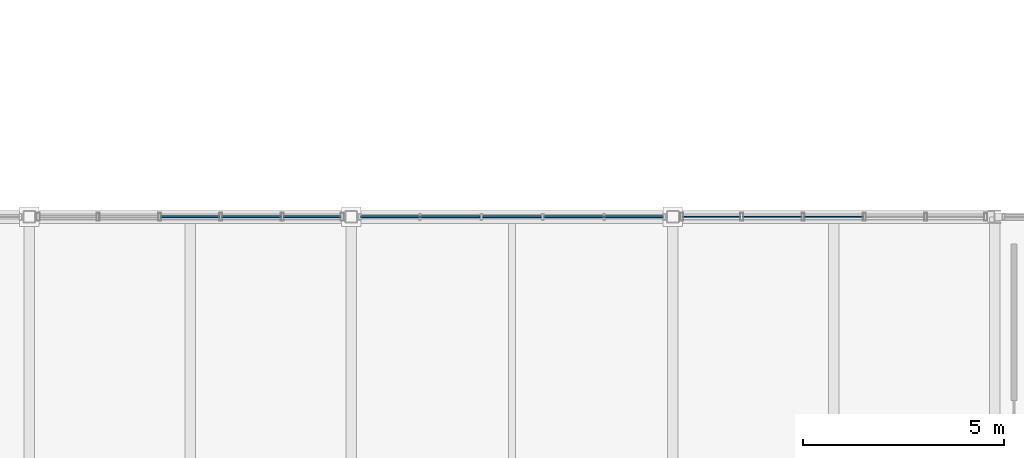
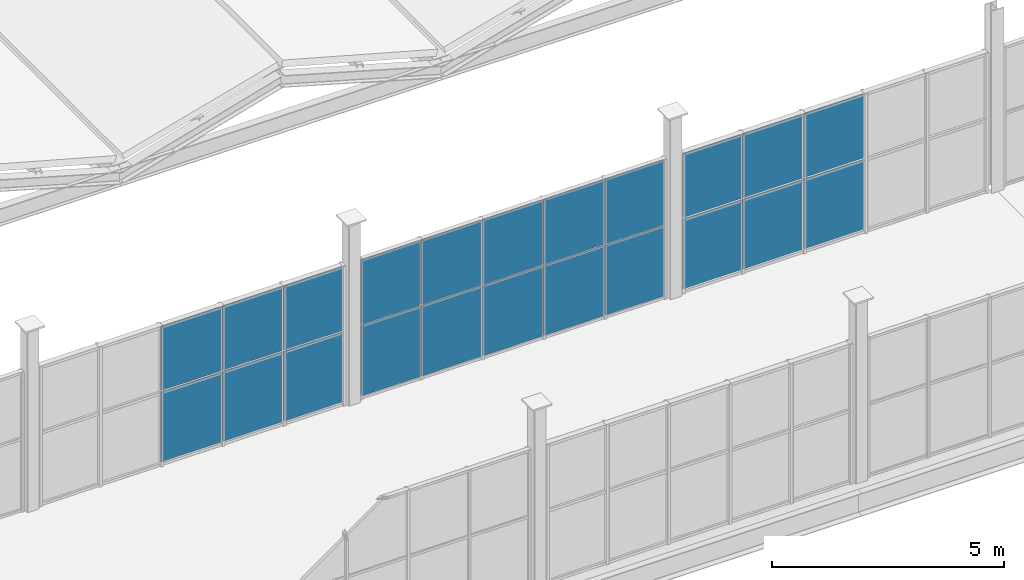
# One storey, part 86 of 114: 22 plates, 3 elements without a shape of their own.
"""IFC4 building model written with IfcOpenShell, lengths in metres."""

from ifc_helpers import new_model, si_unit, direction, frame, origin, origin_2d, place, context, subcontext, project, spatial, rectangle, extrude, material, layer, layer_set, type_object, element, aggregate, save


model = new_model("IFC4")

# Units and contexts
model_context = context("Model", 3, precision=1e-05, world=origin(), true_north=direction((0.0, 1.0)))
body_context = subcontext(model_context, "Body", "Model", "MODEL_VIEW")
ifc_project = project(units=[si_unit("LENGTHUNIT", "METRE"), si_unit("AREAUNIT", "SQUARE_METRE"), si_unit("VOLUMEUNIT", "CUBIC_METRE"), si_unit("PLANEANGLEUNIT", "RADIAN"), si_unit("MASSUNIT", "GRAM", prefix="KILO")], contexts=[model_context])

# Site, building, storey
site_placement = place(None, origin())
site = spatial("IfcSite", under=ifc_project, at=site_placement, CompositionType="ELEMENT")
building_placement = place(site_placement, origin())
building = spatial("IfcBuilding", under=site, at=building_placement, Name="Verrall Gate Interchange", CompositionType="ELEMENT")
storey_placement = place(building_placement, frame((0.0, 0.0, 6.60009765625)))
storey = spatial("IfcBuildingStorey", under=building, at=storey_placement, Name="L02", CompositionType="ELEMENT", Elevation=6.60009765625)

# Curtain wall, plates
ifc_material_1 = material(Name="Thermally Broken Anodized Aluminium Curtain Wall Framing", Category="aluminium")
curtain_wall_type = type_object("IfcCurtainWallType", Name="CW-21 Unitized Curtain Wall 7631x3680", PredefinedType="NOTDEFINED", material=ifc_material_1)
curtain_wall_1_placement = place(storey_placement, origin())
curtain_wall_1 = element("IfcCurtainWall", 1, at=curtain_wall_1_placement, inside=storey, type_object=curtain_wall_type, Name="L02 Unitized Curtain Wall CW-L02-073", PredefinedType="NOTDEFINED")
ifc_material_2 = material(Name="Triple-Glazed Low-E Argon Insulated Curtain Panel (U=1.45)", Category="glass")
ifc_layer_1 = layer(ifc_material_2, 0.030029296875)
ifc_layer_set_1 = layer_set([ifc_layer_1], Name="Triple-Glazed Low-E Argon Insulated Curtain Panel (U=1.45)")
plate_type_1 = type_object("IfcPlateType", Name="CP-01 Curtain Glazing Panel 30", PredefinedType="CURTAIN_PANEL", material=ifc_layer_set_1)
plate_1_placement = place(storey_placement, frame((127.99951171875, 56.0, 0.062744140625), z_axis=(0.0, 0.0, 1.0), x_axis=(-1.0, 0.0, 0.0)))
plate_1 = element("IfcPlate", 2, at=plate_1_placement, type_object=plate_type_1, Name="CW-L02-073 Glazing Panel 3.1", PredefinedType="CURTAIN_PANEL", context=body_context, shape_type="SweptSolid", body=[
    extrude(rectangle(XDim=1.47509765625, YDim=0.030029296875, at=origin_2d()), origin(), (0.0, 0.0, 1.0), 1.8251953125),
])
plate_2_placement = place(storey_placement, frame((127.99951171875, 56.0, 1.93896484375), z_axis=(0.0, 0.0, 1.0), x_axis=(-1.0, 0.0, 0.0)))
plate_2 = element("IfcPlate", 3, at=plate_2_placement, type_object=plate_type_1, Name="CW-L02-073 Glazing Panel 3.2", PredefinedType="CURTAIN_PANEL", context=body_context, shape_type="SweptSolid", body=[
    extrude(rectangle(XDim=1.47509765625, YDim=0.030029296875, at=origin_2d()), origin(), (0.0, 0.0, 1.0), 1.677978515625),
])
plate_3_placement = place(storey_placement, frame((126.473388671875, 56.0, 0.062744140625), z_axis=(0.0, 0.0, 1.0), x_axis=(-1.0, 0.0, 0.0)))
plate_3 = element("IfcPlate", 4, at=plate_3_placement, type_object=plate_type_1, Name="CW-L02-073 Glazing Panel 4.1", PredefinedType="CURTAIN_PANEL", context=body_context, shape_type="SweptSolid", body=[
    extrude(rectangle(XDim=1.47509765625, YDim=0.030029296875, at=origin_2d()), origin(), (0.0, 0.0, 1.0), 1.8251953125),
])
plate_4_placement = place(storey_placement, frame((126.473388671875, 56.0, 1.93896484375), z_axis=(0.0, 0.0, 1.0), x_axis=(-1.0, 0.0, 0.0)))
plate_4 = element("IfcPlate", 5, at=plate_4_placement, type_object=plate_type_1, Name="CW-L02-073 Glazing Panel 4.2", PredefinedType="CURTAIN_PANEL", context=body_context, shape_type="SweptSolid", body=[
    extrude(rectangle(XDim=1.47509765625, YDim=0.030029296875, at=origin_2d()), origin(), (0.0, 0.0, 1.0), 1.677978515625),
])
plate_5_placement = place(storey_placement, frame((124.96630859375, 56.0, 0.062744140625), z_axis=(0.0, 0.0, 1.0), x_axis=(-1.0, 0.0, 0.0)))
plate_5 = element("IfcPlate", 6, at=plate_5_placement, type_object=plate_type_1, Name="CW-L02-073 Glazing Panel 5.1", PredefinedType="CURTAIN_PANEL", context=body_context, shape_type="SweptSolid", body=[
    extrude(rectangle(XDim=1.4375, YDim=0.030029296875, at=origin_2d()), origin(), (0.0, 0.0, 1.0), 1.8251953125),
])
plate_6_placement = place(storey_placement, frame((124.96630859375, 56.0, 1.93896484375), z_axis=(0.0, 0.0, 1.0), x_axis=(-1.0, 0.0, 0.0)))
plate_6 = element("IfcPlate", 7, at=plate_6_placement, type_object=plate_type_1, Name="CW-L02-073 Glazing Panel 5.2", PredefinedType="CURTAIN_PANEL", context=body_context, shape_type="SweptSolid", body=[
    extrude(rectangle(XDim=1.4375, YDim=0.030029296875, at=origin_2d()), origin(), (0.0, 0.0, 1.0), 1.677978515625),
])
aggregate(curtain_wall_1, [plate_1, plate_2, plate_3, plate_4, plate_5, plate_6])

curtain_wall_2_placement = place(storey_placement, origin())
curtain_wall_2 = element("IfcCurtainWall", 8, at=curtain_wall_2_placement, inside=storey, type_object=curtain_wall_type, Name="L02 Unitized Curtain Wall CW-L02-074", PredefinedType="NOTDEFINED")
ifc_material_3 = material(Name="Triple-Glazed Low-E Argon Insulated Curtain Panel (U=1.45)", Category="glass")
ifc_layer_2 = layer(ifc_material_3, 0.0400390625)
ifc_layer_set_2 = layer_set([ifc_layer_2], Name="Triple-Glazed Low-E Argon Insulated Curtain Panel (U=1.45)")
plate_type_2 = type_object("IfcPlateType", Name="CP-02 Curtain Glazing Panel 40", PredefinedType="CURTAIN_PANEL", material=ifc_layer_set_2)
plate_7_placement = place(storey_placement, frame((123.0361328125, 56.0, 0.054443359375), z_axis=(0.0, 0.0, 1.0), x_axis=(-1.0, 0.0, 0.0)))
plate_7 = element("IfcPlate", 9, at=plate_7_placement, type_object=plate_type_2, Name="CW-L02-074 Glazing Panel 1.1", PredefinedType="CURTAIN_PANEL", context=body_context, shape_type="SweptSolid", body=[
    extrude(rectangle(XDim=1.449462890625, YDim=0.0400390625, at=origin_2d()), origin(), (0.0, 0.0, 1.0), 1.8369140625),
])
plate_8_placement = place(storey_placement, frame((123.0361328125, 56.0, 1.935546875), z_axis=(0.0, 0.0, 1.0), x_axis=(-1.0, 0.0, 0.0)))
plate_8 = element("IfcPlate", 10, at=plate_8_placement, type_object=plate_type_2, Name="CW-L02-074 Glazing Panel 1.2", PredefinedType="CURTAIN_PANEL", context=body_context, shape_type="SweptSolid", body=[
    extrude(rectangle(XDim=1.449462890625, YDim=0.0400390625, at=origin_2d()), origin(), (0.0, 0.0, 1.0), 1.689697265625),
])
plate_9_placement = place(storey_placement, frame((121.526123046875, 56.0, 0.054443359375), z_axis=(0.0, 0.0, 1.0), x_axis=(-1.0, 0.0, 0.0)))
plate_9 = element("IfcPlate", 11, at=plate_9_placement, type_object=plate_type_2, Name="CW-L02-074 Glazing Panel 2.1", PredefinedType="CURTAIN_PANEL", context=body_context, shape_type="SweptSolid", body=[
    extrude(rectangle(XDim=1.48193359375, YDim=0.0400390625, at=origin_2d()), origin(), (0.0, 0.0, 1.0), 1.8369140625),
])
plate_10_placement = place(storey_placement, frame((121.526123046875, 56.0, 1.935546875), z_axis=(0.0, 0.0, 1.0), x_axis=(-1.0, 0.0, 0.0)))
plate_10 = element("IfcPlate", 12, at=plate_10_placement, type_object=plate_type_2, Name="CW-L02-074 Glazing Panel 2.2", PredefinedType="CURTAIN_PANEL", context=body_context, shape_type="SweptSolid", body=[
    extrude(rectangle(XDim=1.48193359375, YDim=0.0400390625, at=origin_2d()), origin(), (0.0, 0.0, 1.0), 1.689697265625),
])
plate_11_placement = place(storey_placement, frame((120.0, 56.0, 0.054443359375), z_axis=(0.0, 0.0, 1.0), x_axis=(-1.0, 0.0, 0.0)))
plate_11 = element("IfcPlate", 13, at=plate_11_placement, type_object=plate_type_2, Name="CW-L02-074 Glazing Panel 3.1", PredefinedType="CURTAIN_PANEL", context=body_context, shape_type="SweptSolid", body=[
    extrude(rectangle(XDim=1.48193359375, YDim=0.0400390625, at=origin_2d()), origin(), (0.0, 0.0, 1.0), 1.8369140625),
])
plate_12_placement = place(storey_placement, frame((120.0, 56.0, 1.935546875), z_axis=(0.0, 0.0, 1.0), x_axis=(-1.0, 0.0, 0.0)))
plate_12 = element("IfcPlate", 14, at=plate_12_placement, type_object=plate_type_2, Name="CW-L02-074 Glazing Panel 3.2", PredefinedType="CURTAIN_PANEL", context=body_context, shape_type="SweptSolid", body=[
    extrude(rectangle(XDim=1.48193359375, YDim=0.0400390625, at=origin_2d()), origin(), (0.0, 0.0, 1.0), 1.689697265625),
])
plate_13_placement = place(storey_placement, frame((118.473876953125, 56.0, 0.054443359375), z_axis=(0.0, 0.0, 1.0), x_axis=(-1.0, 0.0, 0.0)))
plate_13 = element("IfcPlate", 15, at=plate_13_placement, type_object=plate_type_2, Name="CW-L02-074 Glazing Panel 4.1", PredefinedType="CURTAIN_PANEL", context=body_context, shape_type="SweptSolid", body=[
    extrude(rectangle(XDim=1.48193359375, YDim=0.0400390625, at=origin_2d()), origin(), (0.0, 0.0, 1.0), 1.8369140625),
])
plate_14_placement = place(storey_placement, frame((118.473876953125, 56.0, 1.935546875), z_axis=(0.0, 0.0, 1.0), x_axis=(-1.0, 0.0, 0.0)))
plate_14 = element("IfcPlate", 16, at=plate_14_placement, type_object=plate_type_2, Name="CW-L02-074 Glazing Panel 4.2", PredefinedType="CURTAIN_PANEL", context=body_context, shape_type="SweptSolid", body=[
    extrude(rectangle(XDim=1.48193359375, YDim=0.0400390625, at=origin_2d()), origin(), (0.0, 0.0, 1.0), 1.689697265625),
])
plate_15_placement = place(storey_placement, frame((116.9638671875, 56.0, 0.054443359375), z_axis=(0.0, 0.0, 1.0), x_axis=(-1.0, 0.0, 0.0)))
plate_15 = element("IfcPlate", 17, at=plate_15_placement, type_object=plate_type_2, Name="CW-L02-074 Glazing Panel 5.1", PredefinedType="CURTAIN_PANEL", context=body_context, shape_type="SweptSolid", body=[
    extrude(rectangle(XDim=1.449462890625, YDim=0.0400390625, at=origin_2d()), origin(), (0.0, 0.0, 1.0), 1.8369140625),
])
plate_16_placement = place(storey_placement, frame((116.9638671875, 56.0, 1.935546875), z_axis=(0.0, 0.0, 1.0), x_axis=(-1.0, 0.0, 0.0)))
plate_16 = element("IfcPlate", 18, at=plate_16_placement, type_object=plate_type_2, Name="CW-L02-074 Glazing Panel 5.2", PredefinedType="CURTAIN_PANEL", context=body_context, shape_type="SweptSolid", body=[
    extrude(rectangle(XDim=1.449462890625, YDim=0.0400390625, at=origin_2d()), origin(), (0.0, 0.0, 1.0), 1.689697265625),
])
aggregate(curtain_wall_2, [plate_7, plate_8, plate_9, plate_10, plate_11, plate_12, plate_13, plate_14, plate_15, plate_16])

curtain_wall_3_placement = place(storey_placement, origin())
curtain_wall_3 = element("IfcCurtainWall", 19, at=curtain_wall_3_placement, inside=storey, type_object=curtain_wall_type, Name="L02 Unitized Curtain Wall CW-L02-075", PredefinedType="NOTDEFINED")
plate_17_placement = place(storey_placement, frame((115.03369140625, 56.0, 0.062744140625), z_axis=(0.0, 0.0, 1.0), x_axis=(-1.0, 0.0, 0.0)))
plate_17 = element("IfcPlate", 20, at=plate_17_placement, type_object=plate_type_2, Name="CW-L02-075 Glazing Panel 1.1", PredefinedType="CURTAIN_PANEL", context=body_context, shape_type="SweptSolid", body=[
    extrude(rectangle(XDim=1.437744140625, YDim=0.0400390625, at=origin_2d()), origin(), (0.0, 0.0, 1.0), 1.8251953125),
])
plate_18_placement = place(storey_placement, frame((115.03369140625, 56.0, 1.93896484375), z_axis=(0.0, 0.0, 1.0), x_axis=(-1.0, 0.0, 0.0)))
plate_18 = element("IfcPlate", 21, at=plate_18_placement, type_object=plate_type_2, Name="CW-L02-075 Glazing Panel 1.2", PredefinedType="CURTAIN_PANEL", context=body_context, shape_type="SweptSolid", body=[
    extrude(rectangle(XDim=1.437744140625, YDim=0.0400390625, at=origin_2d()), origin(), (0.0, 0.0, 1.0), 1.677978515625),
])
plate_19_placement = place(storey_placement, frame((113.526123046875, 56.0, 0.062744140625), z_axis=(0.0, 0.0, 1.0), x_axis=(-1.0, 0.0, 0.0)))
plate_19 = element("IfcPlate", 22, at=plate_19_placement, type_object=plate_type_2, Name="CW-L02-075 Glazing Panel 2.1", PredefinedType="CURTAIN_PANEL", context=body_context, shape_type="SweptSolid", body=[
    extrude(rectangle(XDim=1.47509765625, YDim=0.0400390625, at=origin_2d()), origin(), (0.0, 0.0, 1.0), 1.8251953125),
])
plate_20_placement = place(storey_placement, frame((113.526123046875, 56.0, 1.93896484375), z_axis=(0.0, 0.0, 1.0), x_axis=(-1.0, 0.0, 0.0)))
plate_20 = element("IfcPlate", 23, at=plate_20_placement, type_object=plate_type_2, Name="CW-L02-075 Glazing Panel 2.2", PredefinedType="CURTAIN_PANEL", context=body_context, shape_type="SweptSolid", body=[
    extrude(rectangle(XDim=1.47509765625, YDim=0.0400390625, at=origin_2d()), origin(), (0.0, 0.0, 1.0), 1.677978515625),
])
plate_21_placement = place(storey_placement, frame((112.0, 56.0, 0.062744140625), z_axis=(0.0, 0.0, 1.0), x_axis=(-1.0, 0.0, 0.0)))
plate_21 = element("IfcPlate", 24, at=plate_21_placement, type_object=plate_type_2, Name="CW-L02-075 Glazing Panel 3.1", PredefinedType="CURTAIN_PANEL", context=body_context, shape_type="SweptSolid", body=[
    extrude(rectangle(XDim=1.47509765625, YDim=0.0400390625, at=origin_2d()), origin(), (0.0, 0.0, 1.0), 1.8251953125),
])
plate_22_placement = place(storey_placement, frame((112.0, 56.0, 1.93896484375), z_axis=(0.0, 0.0, 1.0), x_axis=(-1.0, 0.0, 0.0)))
plate_22 = element("IfcPlate", 25, at=plate_22_placement, type_object=plate_type_2, Name="CW-L02-075 Glazing Panel 3.2", PredefinedType="CURTAIN_PANEL", context=body_context, shape_type="SweptSolid", body=[
    extrude(rectangle(XDim=1.47509765625, YDim=0.0400390625, at=origin_2d()), origin(), (0.0, 0.0, 1.0), 1.677978515625),
])
aggregate(curtain_wall_3, [plate_17, plate_18, plate_19, plate_20, plate_21, plate_22])

save(model, "model.ifc")
